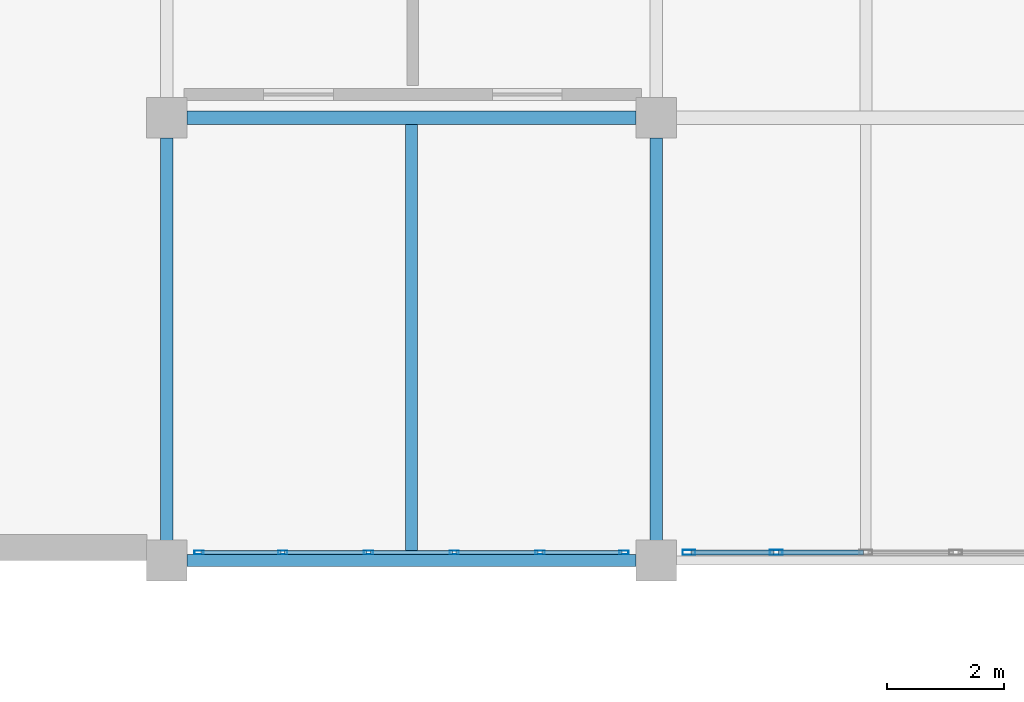
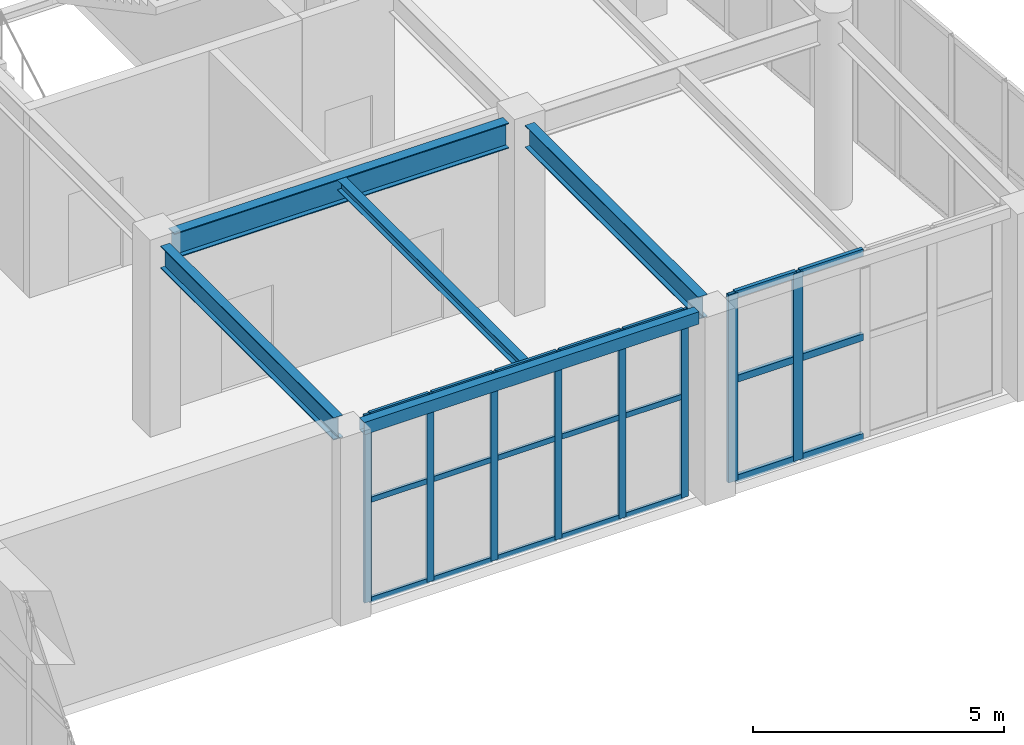
# One storey, part 24 of 72: 29 members, 5 beams, 2 elements without a shape of their own.
"""IFC4 building model written with IfcOpenShell, lengths in metres."""

import ifcopenshell
import ifcopenshell.guid

model = None  # the IFC model being written
_history = None  # IfcOwnerHistory: only IFC2X3 demands one
_inside = {}  # id of a spatial element -> (the spatial element, [elements in it])
_under = {}  # id of a project, library or spatial element -> (it, [spatial elements below it])
_declared = {}  # id of a project -> (the project, [libraries it declares])
_typed = {}  # id of a type object -> (the type object, [elements of that type])
_made_of = {}  # id of a material, layer set ... -> (it, [elements and type objects made of it])


def new_model(schema):
    """Start an empty IFC model of exactly this schema.

    Asked for "IFC4X3", IfcOpenShell would pick the latest addendum, in which some entities
    have other attributes; the version numbers below select the first issue.
    IFC2X3 requires an IfcOwnerHistory on every rooted entity: one is made here for all.
    """
    global model, _history
    if schema == "IFC4X3":
        model = ifcopenshell.file(schema_version=(4, 3, 0, 0))
    else:
        model = ifcopenshell.file(schema=schema)
    _inside.clear()
    _under.clear()
    _declared.clear()
    _typed.clear()
    _made_of.clear()
    _history = None
    if model.schema == "IFC2X3":
        org = make("IfcOrganization", Name="unknown")
        user = make(
            "IfcPersonAndOrganization",
            ThePerson=make("IfcPerson", FamilyName="unknown"),
            TheOrganization=org,
        )
        app = make(
            "IfcApplication",
            ApplicationDeveloper=org,
            Version="unknown",
            ApplicationFullName="unknown",
            ApplicationIdentifier="unknown",
        )
        _history = make(
            "IfcOwnerHistory",
            OwningUser=user,
            OwningApplication=app,
            ChangeAction="ADDED",
            CreationDate=0,
        )
    return model


def make(cls, **values):
    """One entity of the class cls with the attributes given. An attribute that is None is left unset."""
    return model.create_entity(
        cls, **{name: value for name, value in values.items() if value is not None}
    )


def rooted(cls, **values):
    """An entity with a GlobalId (a new one), such as an element, a storey or a relation."""
    return make(cls, GlobalId=ifcopenshell.guid.new(), OwnerHistory=_history, **values)


def si_unit(unit_type, name, prefix=None):
    """IfcSIUnit, for example si_unit("LENGTHUNIT", "METRE", prefix="MILLI")."""
    return make("IfcSIUnit", UnitType=unit_type, Prefix=prefix, Name=name)


def assignment(units):
    """IfcUnitAssignment: the units of a project."""
    return None if units is None else make("IfcUnitAssignment", Units=units)


def point(xyz):
    """IfcCartesianPoint."""
    return None if xyz is None else make("IfcCartesianPoint", Coordinates=xyz)


def direction(xyz):
    """IfcDirection."""
    return None if xyz is None else make("IfcDirection", DirectionRatios=xyz)


def frame(location, z_axis=None, x_axis=None):
    """IfcAxis2Placement3D, a coordinate frame: its origin and axes. An axis left out is left unset."""
    return make(
        "IfcAxis2Placement3D",
        Location=point(location),
        Axis=direction(z_axis),
        RefDirection=direction(x_axis),
    )


def frame_2d(location, x_axis=None):
    """IfcAxis2Placement2D, a coordinate frame in the plane: its origin and x axis."""
    return make(
        "IfcAxis2Placement2D", Location=point(location), RefDirection=direction(x_axis)
    )


def origin():
    """The frame at (0, 0, 0) with its axes left unset."""
    return frame((0.0, 0.0, 0.0))


def origin_2d():
    """The frame at (0, 0) in the plane with its x axis left unset."""
    return frame_2d((0.0, 0.0))


def place(relative_to, where):
    """IfcLocalPlacement: puts the frame where relative to a parent placement (None: the world)."""
    return make(
        "IfcLocalPlacement", PlacementRelTo=relative_to, RelativePlacement=where
    )


def context(
    kind, dimensions, precision=None, world=None, true_north=None, identifier=None
):
    """IfcGeometricRepresentationContext, for example the 3D "Model" context."""
    return make(
        "IfcGeometricRepresentationContext",
        ContextIdentifier=identifier,
        ContextType=kind,
        CoordinateSpaceDimension=dimensions,
        Precision=precision,
        WorldCoordinateSystem=world,
        TrueNorth=true_north,
    )


def subcontext(parent, identifier, kind, view, scale=None):
    """IfcGeometricRepresentationSubContext, for example "Body" below "Model"."""
    return make(
        "IfcGeometricRepresentationSubContext",
        ContextIdentifier=identifier,
        ContextType=kind,
        ParentContext=parent,
        TargetScale=scale,
        TargetView=view,
    )


def project(units=None, contexts=None):
    """IfcProject with its units and contexts."""
    return rooted(
        "IfcProject",
        Name="project",
        RepresentationContexts=contexts,
        UnitsInContext=assignment(units),
    )


def spatial(cls, under=None, at=None, **own):
    """A site, building, storey or space (cls), placed at a placement, below another one or the project."""
    s = rooted(cls, ObjectPlacement=at, **own)
    if under is not None:
        _under.setdefault(under.id(), (under, []))[1].append(s)
    return s


def profile(cls, at=None, kind="AREA", **sizes):
    """A parametric profile (cls). Its sizes go by their IFC names, for example OverallWidth=200.0."""
    return make(cls, ProfileType=kind, Position=at, **sizes)


def hollow_rectangle(**sizes):
    """IfcRectangleHollowProfileDef."""
    return profile("IfcRectangleHollowProfileDef", **sizes)


def i_section(**sizes):
    """IfcIShapeProfileDef."""
    return profile("IfcIShapeProfileDef", **sizes)


def extrude(swept, where, along, depth):
    """IfcExtrudedAreaSolid: the profile swept, set in the frame where, extruded along a direction by depth."""
    return make(
        "IfcExtrudedAreaSolid",
        SweptArea=swept,
        Position=where,
        ExtrudedDirection=direction(along),
        Depth=depth,
    )


def shape(context_of_items, identifier, shape_type, items):
    """IfcShapeRepresentation: the items that make up one representation, for example the "Body"."""
    return make(
        "IfcShapeRepresentation",
        ContextOfItems=context_of_items,
        RepresentationIdentifier=identifier,
        RepresentationType=shape_type,
        Items=items,
    )


def material(Name=None, Category=None):
    """IfcMaterial."""
    return make("IfcMaterial", Name=Name, Category=Category)


def layer(
    of_material, thickness, ventilated=None, Name=None, Category=None, Priority=None
):
    """IfcMaterialLayer: one layer of a wall or slab, of a material (None: an air gap)."""
    return make(
        "IfcMaterialLayer",
        Material=of_material,
        LayerThickness=thickness,
        IsVentilated=ventilated,
        Name=Name,
        Category=Category,
        Priority=Priority,
    )


def layer_set(layers, Name=None):
    """IfcMaterialLayerSet."""
    return make("IfcMaterialLayerSet", MaterialLayers=layers, LayerSetName=Name)


def material_profile(
    of_material, cross_section, Name=None, Category=None, Priority=None
):
    """IfcMaterialProfile: a cross section and its material."""
    return make(
        "IfcMaterialProfile",
        Name=Name,
        Material=of_material,
        Profile=cross_section,
        Priority=Priority,
        Category=Category,
    )


def profile_set(profiles, Name=None, composite=None):
    """IfcMaterialProfileSet."""
    return make(
        "IfcMaterialProfileSet",
        Name=Name,
        MaterialProfiles=profiles,
        CompositeProfile=composite,
    )


def made_of(thing, what):
    """Note that an element or type object is made of a material, layer set ...; save() writes the relation."""
    if what is not None:
        _made_of.setdefault(what.id(), (what, []))[1].append(thing)
    return thing


def type_object(cls, material=None, **own):
    """A type object (cls), such as IfcWallType, which elements share."""
    return made_of(rooted(cls, **own), material)


def element(
    cls,
    number,
    at=None,
    inside=None,
    cuts=None,
    type_object=None,
    material=None,
    context=None,
    identifier="Body",
    shape_type=None,
    held_by="IfcProductDefinitionShape",
    body=None,
    shapes=None,
    **own,
):
    """One element of the class cls, such as IfcWall. Its Tag is "e" and its number.

    at: its placement. inside: the storey or other place that contains it. cuts: it is an
    opening in that element (IfcRelVoidsElement). A single representation is given by context,
    identifier, shape_type and body (its items); several are given by shapes. held_by: the class
    of the entity that holds the representations. save() writes the other relations.
    """
    e = rooted(cls, Tag="e%d" % number, ObjectPlacement=at, **own)
    if body is not None:
        shapes = [shape(context, identifier, shape_type, body)]
    if shapes is not None:
        e.Representation = make(held_by, Representations=shapes)
    if inside is not None:
        _inside.setdefault(inside.id(), (inside, []))[1].append(e)
    if cuts is not None:
        rooted(
            "IfcRelVoidsElement", RelatingBuildingElement=cuts, RelatedOpeningElement=e
        )
    if type_object is not None:
        _typed.setdefault(type_object.id(), (type_object, []))[1].append(e)
    return made_of(e, material)


def aggregate(whole, parts):
    """IfcRelAggregates: a whole, such as a stair, and the parts it consists of."""
    return rooted("IfcRelAggregates", RelatingObject=whole, RelatedObjects=parts)


def save(model, path):
    """Write the relations noted so far, then the file.

    IfcRelAggregates (storeys below a building ...), IfcRelContainedInSpatialStructure (elements
    in a storey), IfcRelDefinesByType, IfcRelAssociatesMaterial and IfcRelDeclares: one each for
    every whole, place, type object, material and project.
    """
    for whole, parts in _under.values():
        aggregate(whole, parts)
    for where, things in _inside.values():
        rooted(
            "IfcRelContainedInSpatialStructure",
            RelatedElements=things,
            RelatingStructure=where,
        )
    for kind, things in _typed.values():
        rooted("IfcRelDefinesByType", RelatedObjects=things, RelatingType=kind)
    for what, things in _made_of.values():
        rooted("IfcRelAssociatesMaterial", RelatedObjects=things, RelatingMaterial=what)
    for by, libraries in _declared.values():
        rooted("IfcRelDeclares", RelatingContext=by, RelatedDefinitions=libraries)
    model.write(path)


model = new_model("IFC4")

# Units and contexts
model_context = context("Model", 3, precision=1e-05, world=origin(), true_north=direction((0.0, 1.0)))
body_context = subcontext(model_context, "Body", "Model", "MODEL_VIEW")
ifc_project = project(units=[si_unit("LENGTHUNIT", "METRE"), si_unit("AREAUNIT", "SQUARE_METRE"), si_unit("VOLUMEUNIT", "CUBIC_METRE"), si_unit("PLANEANGLEUNIT", "RADIAN"), si_unit("MASSUNIT", "GRAM", prefix="KILO")], contexts=[model_context])

# Site, building, storey
site_placement = place(None, origin())
site = spatial("IfcSite", under=ifc_project, at=site_placement, CompositionType="ELEMENT")
building_placement = place(site_placement, origin())
building = spatial("IfcBuilding", under=site, at=building_placement, Name="Xicomal Pleat Aquarium", CompositionType="ELEMENT")
storey_placement = place(building_placement, frame((0.0, 0.0, 10.5)))
storey = spatial("IfcBuildingStorey", under=building, at=storey_placement, Name="L03", CompositionType="ELEMENT", Elevation=10.5)

# Beams
ifc_material_1 = material(Name="Structural steel A992 Gr 50", Category="steel")
ifc_material_profile_1 = material_profile(ifc_material_1, i_section(OverallWidth=0.201904296875, OverallDepth=0.2470703125, WebThickness=0.00732421875, FlangeThickness=0.010986328125, at=origin_2d()), Name="IR 250x49")
ifc_profile_set_1 = profile_set([ifc_material_profile_1], Name="Structural steel A992 Gr 50")
beam_type_1 = type_object("IfcBeamType", Name="BM-STL-IR250", PredefinedType="JOIST", material=ifc_profile_set_1)
beam_1_placement = place(storey_placement, frame((106.800048828125, 38.10302734375, 4.451416015625), z_axis=(0.0, 1.0, 0.0), x_axis=(-1.0, 0.0, 0.0)))
element("IfcBeam", 1, at=beam_1_placement, inside=storey, type_object=beam_type_1, Name="L03 framing beam FBJ-L03-13-F-1", PredefinedType="JOIST", context=body_context, shape_type="SweptSolid", body=[
    extrude(i_section(OverallWidth=0.201904296875, OverallDepth=0.2470703125, WebThickness=0.00732421875, FlangeThickness=0.010986328125, at=origin_2d()), origin(), (0.0, 0.0, 1.0), 7.37890625),
])
ifc_material_2 = material(Name="Structural steel A992 Gr 50", Category="steel")
ifc_material_profile_2 = material_profile(ifc_material_2, i_section(OverallWidth=0.2119140625, OverallDepth=0.5439453125, WebThickness=0.01318359375, FlangeThickness=0.021240234375, at=origin_2d()), Name="IR 530x123")
ifc_profile_set_2 = profile_set([ifc_material_profile_2], Name="Structural steel A992 Gr 50")
beam_type_2 = type_object("IfcBeamType", Name="BM-STL-IR530", PredefinedType="BEAM", material=ifc_profile_set_2)
for number, where, z_axis, x_axis, name in (
    (2, (102.60009765625, 38.344970703125, 4.302978515625), (0.0, 1.0, 0.0), (-1.0, 0.0, 0.0), "L03 framing beam FGY-L03-13-F-G"),
    (3, (111.0, 38.344970703125, 4.302978515625), (0.0, 1.0, 0.0), (-1.0, 0.0, 0.0), "L03 framing beam FGY-L03-14-F-G"),
):
    element("IfcBeam", number, at=place(storey_placement, frame(where, z_axis=z_axis, x_axis=x_axis)), inside=storey, type_object=beam_type_2, Name=name, PredefinedType="BEAM", context=body_context, shape_type="SweptSolid", body=[
        extrude(i_section(OverallWidth=0.2119140625, OverallDepth=0.5439453125, WebThickness=0.01318359375, FlangeThickness=0.021240234375, at=origin_2d()), origin(), (0.0, 0.0, 1.0), 6.909912109375),
    ])
ifc_material_3 = material(Name="Structural steel A992 Gr 50", Category="steel")
ifc_material_profile_3 = material_profile(ifc_material_3, i_section(OverallWidth=0.22998046875, OverallDepth=0.616943359375, WebThickness=0.01318359375, FlangeThickness=0.022216796875, at=origin_2d()), Name="IR 610x140")
ifc_profile_set_3 = profile_set([ifc_material_profile_3], Name="Structural steel A992 Gr 50")
beam_type_3 = type_object("IfcBeamType", Name="BM-STL-IR610", PredefinedType="BEAM", material=ifc_profile_set_3)
beam_2_placement = place(storey_placement, frame((102.945068359375, 45.60009765625, 4.2666015625), z_axis=(1.0, 0.0, 0.0), x_axis=(0.0, 1.0, 0.0)))
element("IfcBeam", 4, at=beam_2_placement, inside=storey, type_object=beam_type_3, Name="L03 framing beam FGX-L03-13-14-G", PredefinedType="BEAM", context=body_context, shape_type="SweptSolid", body=[
    extrude(i_section(OverallWidth=0.22998046875, OverallDepth=0.616943359375, WebThickness=0.01318359375, FlangeThickness=0.022216796875, at=origin_2d()), origin(), (0.0, 0.0, 1.0), 7.7099609375),
])
ifc_material_4 = material(Name="Structural steel A500 Gr C", Category="steel")
ifc_material_profile_4 = material_profile(ifc_material_4, hollow_rectangle(XDim=0.199951171875, YDim=0.300048828125, WallThickness=0.011962890625, at=origin_2d()), Name="OR 300x200x12")
ifc_profile_set_4 = profile_set([ifc_material_profile_4], Name="Structural steel A500 Gr C")
beam_type_4 = type_object("IfcBeamType", Name="BM-STL-OR300", PredefinedType="SPANDREL", material=ifc_profile_set_4)
beam_3_placement = place(storey_placement, frame((102.945068359375, 38.0, 4.425048828125), z_axis=(1.0, 0.0, 0.0), x_axis=(0.0, 1.0, 0.0)))
element("IfcBeam", 5, at=beam_3_placement, inside=storey, type_object=beam_type_4, Name="L03 framing beam FGX-L03-13-14-F", PredefinedType="SPANDREL", context=body_context, shape_type="SweptSolid", body=[
    extrude(hollow_rectangle(XDim=0.199951171875, YDim=0.300048828125, WallThickness=0.011962890625, at=origin_2d()), origin(), (0.0, 0.0, 1.0), 7.7099609375),
])

# Curtain wall, members
ifc_material_5 = material(Name="Bronze anodized aluminium 6063-T6", Category="aluminium")
ifc_layer = layer(ifc_material_5, 0.159912109375)
ifc_layer_set = layer_set([ifc_layer], Name="Bronze anodized aluminium 6063-T6")
curtain_wall_type = type_object("IfcCurtainWallType", Name="CW-SYS-03", PredefinedType="NOTDEFINED", material=ifc_layer_set)
curtain_wall_1_placement = place(storey_placement, origin())
curtain_wall_1 = element("IfcCurtainWall", 6, at=curtain_wall_1_placement, inside=storey, type_object=curtain_wall_type, Name="L03 unitised curtain wall CW-L03-162", PredefinedType="NOTDEFINED")
ifc_material_6 = material(Name="Bronze anodized aluminium 6063-T6", Category="aluminium")
ifc_material_profile_5 = material_profile(ifc_material_6, hollow_rectangle(XDim=0.06494140625, YDim=0.159912109375, WallThickness=0.00390625, at=origin_2d()), Name="ALU MULL 65x160")
ifc_profile_set_5 = profile_set([ifc_material_profile_5], Name="Bronze anodized aluminium 6063-T6")
member_type_1 = type_object("IfcMemberType", Name="CWM-65x160", PredefinedType="MULLION", material=ifc_profile_set_5)
member_1_placement = place(storey_placement, frame((110.447509765625, 38.139892578125, 0.0), z_axis=(0.0, 0.0, 1.0), x_axis=(0.0, -1.0, 0.0)))
member_1 = element("IfcMember", 7, at=member_1_placement, type_object=member_type_1, Name="CW-03 mullion 1", PredefinedType="MULLION", context=body_context, shape_type="SweptSolid", body=[
    extrude(hollow_rectangle(XDim=0.06494140625, YDim=0.159912109375, WallThickness=0.00390625, at=origin_2d()), origin(), (0.0, 0.0, 1.0), 4.574951171875),
])
member_2_placement = place(storey_placement, frame((109.008056640625, 38.139892578125, 0.0), z_axis=(0.0, 0.0, 1.0), x_axis=(0.0, -1.0, 0.0)))
member_2 = element("IfcMember", 8, at=member_2_placement, type_object=member_type_1, Name="CW-03 mullion 2", PredefinedType="MULLION", context=body_context, shape_type="SweptSolid", body=[
    extrude(hollow_rectangle(XDim=0.06494140625, YDim=0.159912109375, WallThickness=0.00390625, at=origin_2d()), origin(), (0.0, 0.0, 1.0), 4.574951171875),
])
member_3_placement = place(storey_placement, frame((107.535888671875, 38.139892578125, 0.0), z_axis=(0.0, 0.0, 1.0), x_axis=(0.0, -1.0, 0.0)))
member_3 = element("IfcMember", 9, at=member_3_placement, type_object=member_type_1, Name="CW-03 mullion 3", PredefinedType="MULLION", context=body_context, shape_type="SweptSolid", body=[
    extrude(hollow_rectangle(XDim=0.06494140625, YDim=0.159912109375, WallThickness=0.00390625, at=origin_2d()), origin(), (0.0, 0.0, 1.0), 4.574951171875),
])
member_4_placement = place(storey_placement, frame((106.06396484375, 38.139892578125, 0.0), z_axis=(0.0, 0.0, 1.0), x_axis=(0.0, -1.0, 0.0)))
member_4 = element("IfcMember", 10, at=member_4_placement, type_object=member_type_1, Name="CW-03 mullion 4", PredefinedType="MULLION", context=body_context, shape_type="SweptSolid", body=[
    extrude(hollow_rectangle(XDim=0.06494140625, YDim=0.159912109375, WallThickness=0.00390625, at=origin_2d()), origin(), (0.0, 0.0, 1.0), 4.574951171875),
])
member_5_placement = place(storey_placement, frame((104.592041015625, 38.139892578125, 0.0), z_axis=(0.0, 0.0, 1.0), x_axis=(0.0, -1.0, 0.0)))
member_5 = element("IfcMember", 11, at=member_5_placement, type_object=member_type_1, Name="CW-03 mullion 5", PredefinedType="MULLION", context=body_context, shape_type="SweptSolid", body=[
    extrude(hollow_rectangle(XDim=0.06494140625, YDim=0.159912109375, WallThickness=0.00390625, at=origin_2d()), origin(), (0.0, 0.0, 1.0), 4.574951171875),
])
member_6_placement = place(storey_placement, frame((103.152587890625, 38.139892578125, 0.0), z_axis=(0.0, 0.0, 1.0), x_axis=(0.0, -1.0, 0.0)))
member_6 = element("IfcMember", 12, at=member_6_placement, type_object=member_type_1, Name="CW-03 mullion 6", PredefinedType="MULLION", context=body_context, shape_type="SweptSolid", body=[
    extrude(hollow_rectangle(XDim=0.06494140625, YDim=0.159912109375, WallThickness=0.00390625, at=origin_2d()), origin(), (0.0, 0.0, 1.0), 4.574951171875),
])

curtain_wall_2_placement = place(storey_placement, origin())
curtain_wall_2 = element("IfcCurtainWall", 13, at=curtain_wall_2_placement, inside=storey, type_object=curtain_wall_type, Name="L03 unitised curtain wall CW-L03-161", PredefinedType="NOTDEFINED")
ifc_material_7 = material(Name="Bronze anodized aluminium 6063-T6", Category="aluminium")
ifc_material_profile_6 = material_profile(ifc_material_7, hollow_rectangle(XDim=0.0849609375, YDim=0.219970703125, WallThickness=0.0048828125, at=origin_2d()), Name="ALU MULL 85x220")
ifc_profile_set_6 = profile_set([ifc_material_profile_6], Name="Bronze anodized aluminium 6063-T6")
member_type_2 = type_object("IfcMemberType", Name="CWM-85x220", PredefinedType="MULLION", material=ifc_profile_set_6)
member_7_placement = place(storey_placement, frame((113.06005859375, 38.139892578125, 0.0), z_axis=(0.0, 0.0, 1.0), x_axis=(0.0, -1.0, 0.0)))
member_7 = element("IfcMember", 14, at=member_7_placement, type_object=member_type_2, Name="CW-03 mullion 4", PredefinedType="MULLION", context=body_context, shape_type="SweptSolid", body=[
    extrude(hollow_rectangle(XDim=0.0849609375, YDim=0.219970703125, WallThickness=0.0048828125, at=origin_2d()), origin(), (0.0, 0.0, 1.0), 4.574951171875),
])
member_8_placement = place(storey_placement, frame((111.5625, 38.139892578125, 0.0), z_axis=(0.0, 0.0, 1.0), x_axis=(0.0, -1.0, 0.0)))
member_8 = element("IfcMember", 15, at=member_8_placement, type_object=member_type_2, Name="CW-03 mullion 5", PredefinedType="MULLION", context=body_context, shape_type="SweptSolid", body=[
    extrude(hollow_rectangle(XDim=0.0849609375, YDim=0.219970703125, WallThickness=0.0048828125, at=origin_2d()), origin(), (0.0, 0.0, 1.0), 4.574951171875),
])

# Member
ifc_material_8 = material(Name="Bronze anodized aluminium 6063-T6", Category="aluminium")
ifc_material_profile_7 = material_profile(ifc_material_8, hollow_rectangle(XDim=0.06494140625, YDim=0.1298828125, WallThickness=0.00390625, at=origin_2d()), Name="ALU TRAN 65x130")
ifc_profile_set_7 = profile_set([ifc_material_profile_7], Name="Bronze anodized aluminium 6063-T6")
member_type_3 = type_object("IfcMemberType", Name="CWT-65x130", PredefinedType="USERDEFINED", material=ifc_profile_set_7)
member_9_placement = place(storey_placement, frame((110.4150390625, 38.139892578125, 0.032470703125), z_axis=(-1.0, 0.0, 0.0), x_axis=(0.0, -1.0, 0.0)))
member_9 = element("IfcMember", 16, at=member_9_placement, type_object=member_type_3, Name="CW-03 transom 1.1", ObjectType="TRANSOM", PredefinedType="USERDEFINED", context=body_context, shape_type="SweptSolid", body=[
    extrude(hollow_rectangle(XDim=0.06494140625, YDim=0.1298828125, WallThickness=0.00390625, at=origin_2d()), origin(), (0.0, 0.0, 1.0), 1.37451171875),
])

member_10_placement = place(storey_placement, frame((110.4150390625, 38.139892578125, 2.469970703125), z_axis=(-1.0, 0.0, 0.0), x_axis=(0.0, -1.0, 0.0)))
member_10 = element("IfcMember", 17, at=member_10_placement, type_object=member_type_3, Name="CW-03 transom 1.2", ObjectType="TRANSOM", PredefinedType="USERDEFINED", context=body_context, shape_type="SweptSolid", body=[
    extrude(hollow_rectangle(XDim=0.06494140625, YDim=0.1298828125, WallThickness=0.00390625, at=origin_2d()), origin(), (0.0, 0.0, 1.0), 1.37451171875),
])

member_11_placement = place(storey_placement, frame((110.4150390625, 38.139892578125, 4.54248046875), z_axis=(-1.0, 0.0, 0.0), x_axis=(0.0, -1.0, 0.0)))
member_11 = element("IfcMember", 18, at=member_11_placement, type_object=member_type_3, Name="CW-03 transom 1.3", ObjectType="TRANSOM", PredefinedType="USERDEFINED", context=body_context, shape_type="SweptSolid", body=[
    extrude(hollow_rectangle(XDim=0.06494140625, YDim=0.1298828125, WallThickness=0.00390625, at=origin_2d()), origin(), (0.0, 0.0, 1.0), 1.37451171875),
])

member_12_placement = place(storey_placement, frame((108.9755859375, 38.139892578125, 0.032470703125), z_axis=(-1.0, 0.0, 0.0), x_axis=(0.0, -1.0, 0.0)))
member_12 = element("IfcMember", 19, at=member_12_placement, type_object=member_type_3, Name="CW-03 transom 2.1", ObjectType="TRANSOM", PredefinedType="USERDEFINED", context=body_context, shape_type="SweptSolid", body=[
    extrude(hollow_rectangle(XDim=0.06494140625, YDim=0.1298828125, WallThickness=0.00390625, at=origin_2d()), origin(), (0.0, 0.0, 1.0), 1.406982421875),
])

member_13_placement = place(storey_placement, frame((108.9755859375, 38.139892578125, 2.469970703125), z_axis=(-1.0, 0.0, 0.0), x_axis=(0.0, -1.0, 0.0)))
member_13 = element("IfcMember", 20, at=member_13_placement, type_object=member_type_3, Name="CW-03 transom 2.2", ObjectType="TRANSOM", PredefinedType="USERDEFINED", context=body_context, shape_type="SweptSolid", body=[
    extrude(hollow_rectangle(XDim=0.06494140625, YDim=0.1298828125, WallThickness=0.00390625, at=origin_2d()), origin(), (0.0, 0.0, 1.0), 1.406982421875),
])

member_14_placement = place(storey_placement, frame((108.9755859375, 38.139892578125, 4.54248046875), z_axis=(-1.0, 0.0, 0.0), x_axis=(0.0, -1.0, 0.0)))
member_14 = element("IfcMember", 21, at=member_14_placement, type_object=member_type_3, Name="CW-03 transom 2.3", ObjectType="TRANSOM", PredefinedType="USERDEFINED", context=body_context, shape_type="SweptSolid", body=[
    extrude(hollow_rectangle(XDim=0.06494140625, YDim=0.1298828125, WallThickness=0.00390625, at=origin_2d()), origin(), (0.0, 0.0, 1.0), 1.406982421875),
])

member_15_placement = place(storey_placement, frame((107.50341796875, 38.139892578125, 0.032470703125), z_axis=(-1.0, 0.0, 0.0), x_axis=(0.0, -1.0, 0.0)))
member_15 = element("IfcMember", 22, at=member_15_placement, type_object=member_type_3, Name="CW-03 transom 3.1", ObjectType="TRANSOM", PredefinedType="USERDEFINED", context=body_context, shape_type="SweptSolid", body=[
    extrude(hollow_rectangle(XDim=0.06494140625, YDim=0.1298828125, WallThickness=0.00390625, at=origin_2d()), origin(), (0.0, 0.0, 1.0), 1.406982421875),
])

member_16_placement = place(storey_placement, frame((107.50341796875, 38.139892578125, 2.469970703125), z_axis=(-1.0, 0.0, 0.0), x_axis=(0.0, -1.0, 0.0)))
member_16 = element("IfcMember", 23, at=member_16_placement, type_object=member_type_3, Name="CW-03 transom 3.2", ObjectType="TRANSOM", PredefinedType="USERDEFINED", context=body_context, shape_type="SweptSolid", body=[
    extrude(hollow_rectangle(XDim=0.06494140625, YDim=0.1298828125, WallThickness=0.00390625, at=origin_2d()), origin(), (0.0, 0.0, 1.0), 1.406982421875),
])

member_17_placement = place(storey_placement, frame((107.50341796875, 38.139892578125, 4.54248046875), z_axis=(-1.0, 0.0, 0.0), x_axis=(0.0, -1.0, 0.0)))
member_17 = element("IfcMember", 24, at=member_17_placement, type_object=member_type_3, Name="CW-03 transom 3.3", ObjectType="TRANSOM", PredefinedType="USERDEFINED", context=body_context, shape_type="SweptSolid", body=[
    extrude(hollow_rectangle(XDim=0.06494140625, YDim=0.1298828125, WallThickness=0.00390625, at=origin_2d()), origin(), (0.0, 0.0, 1.0), 1.406982421875),
])

member_18_placement = place(storey_placement, frame((106.031494140625, 38.139892578125, 0.032470703125), z_axis=(-1.0, 0.0, 0.0), x_axis=(0.0, -1.0, 0.0)))
member_18 = element("IfcMember", 25, at=member_18_placement, type_object=member_type_3, Name="CW-03 transom 4.1", ObjectType="TRANSOM", PredefinedType="USERDEFINED", context=body_context, shape_type="SweptSolid", body=[
    extrude(hollow_rectangle(XDim=0.06494140625, YDim=0.1298828125, WallThickness=0.00390625, at=origin_2d()), origin(), (0.0, 0.0, 1.0), 1.406982421875),
])

member_19_placement = place(storey_placement, frame((106.031494140625, 38.139892578125, 2.469970703125), z_axis=(-1.0, 0.0, 0.0), x_axis=(0.0, -1.0, 0.0)))
member_19 = element("IfcMember", 26, at=member_19_placement, type_object=member_type_3, Name="CW-03 transom 4.2", ObjectType="TRANSOM", PredefinedType="USERDEFINED", context=body_context, shape_type="SweptSolid", body=[
    extrude(hollow_rectangle(XDim=0.06494140625, YDim=0.1298828125, WallThickness=0.00390625, at=origin_2d()), origin(), (0.0, 0.0, 1.0), 1.406982421875),
])

member_20_placement = place(storey_placement, frame((106.031494140625, 38.139892578125, 4.54248046875), z_axis=(-1.0, 0.0, 0.0), x_axis=(0.0, -1.0, 0.0)))
member_20 = element("IfcMember", 27, at=member_20_placement, type_object=member_type_3, Name="CW-03 transom 4.3", ObjectType="TRANSOM", PredefinedType="USERDEFINED", context=body_context, shape_type="SweptSolid", body=[
    extrude(hollow_rectangle(XDim=0.06494140625, YDim=0.1298828125, WallThickness=0.00390625, at=origin_2d()), origin(), (0.0, 0.0, 1.0), 1.406982421875),
])

member_21_placement = place(storey_placement, frame((104.5595703125, 38.139892578125, 0.032470703125), z_axis=(-1.0, 0.0, 0.0), x_axis=(0.0, -1.0, 0.0)))
member_21 = element("IfcMember", 28, at=member_21_placement, type_object=member_type_3, Name="CW-03 transom 5.1", ObjectType="TRANSOM", PredefinedType="USERDEFINED", context=body_context, shape_type="SweptSolid", body=[
    extrude(hollow_rectangle(XDim=0.06494140625, YDim=0.1298828125, WallThickness=0.00390625, at=origin_2d()), origin(), (0.0, 0.0, 1.0), 1.37451171875),
])

member_22_placement = place(storey_placement, frame((104.5595703125, 38.139892578125, 2.469970703125), z_axis=(-1.0, 0.0, 0.0), x_axis=(0.0, -1.0, 0.0)))
member_22 = element("IfcMember", 29, at=member_22_placement, type_object=member_type_3, Name="CW-03 transom 5.2", ObjectType="TRANSOM", PredefinedType="USERDEFINED", context=body_context, shape_type="SweptSolid", body=[
    extrude(hollow_rectangle(XDim=0.06494140625, YDim=0.1298828125, WallThickness=0.00390625, at=origin_2d()), origin(), (0.0, 0.0, 1.0), 1.37451171875),
])

member_23_placement = place(storey_placement, frame((104.5595703125, 38.139892578125, 4.54248046875), z_axis=(-1.0, 0.0, 0.0), x_axis=(0.0, -1.0, 0.0)))
member_23 = element("IfcMember", 30, at=member_23_placement, type_object=member_type_3, Name="CW-03 transom 5.3", ObjectType="TRANSOM", PredefinedType="USERDEFINED", context=body_context, shape_type="SweptSolid", body=[
    extrude(hollow_rectangle(XDim=0.06494140625, YDim=0.1298828125, WallThickness=0.00390625, at=origin_2d()), origin(), (0.0, 0.0, 1.0), 1.37451171875),
])

aggregate(curtain_wall_1, [member_1, member_2, member_3, member_4, member_5, member_6, member_9, member_10, member_11, member_12, member_13, member_14, member_15, member_16, member_17, member_18, member_19, member_20, member_21, member_22, member_23])

ifc_material_9 = material(Name="Bronze anodized aluminium 6063-T6", Category="aluminium")
ifc_material_profile_8 = material_profile(ifc_material_9, hollow_rectangle(XDim=0.0849609375, YDim=0.169921875, WallThickness=0.0048828125, at=origin_2d()), Name="ALU TRAN 85x170")
ifc_profile_set_8 = profile_set([ifc_material_profile_8], Name="Bronze anodized aluminium 6063-T6")
member_type_4 = type_object("IfcMemberType", Name="CWT-85x170", PredefinedType="USERDEFINED", material=ifc_profile_set_8)
member_24_placement = place(storey_placement, frame((114.5576171875, 38.139892578125, 0.04248046875), z_axis=(-1.0, 0.0, 0.0), x_axis=(0.0, -1.0, 0.0)))
member_24 = element("IfcMember", 31, at=member_24_placement, type_object=member_type_4, Name="CW-03 transom 3.1", ObjectType="TRANSOM", PredefinedType="USERDEFINED", context=body_context, shape_type="SweptSolid", body=[
    extrude(hollow_rectangle(XDim=0.0849609375, YDim=0.169921875, WallThickness=0.0048828125, at=origin_2d()), origin(), (0.0, 0.0, 1.0), 1.455078125),
])

member_25_placement = place(storey_placement, frame((114.5576171875, 38.139892578125, 2.469970703125), z_axis=(-1.0, 0.0, 0.0), x_axis=(0.0, -1.0, 0.0)))
member_25 = element("IfcMember", 32, at=member_25_placement, type_object=member_type_4, Name="CW-03 transom 3.2", ObjectType="TRANSOM", PredefinedType="USERDEFINED", context=body_context, shape_type="SweptSolid", body=[
    extrude(hollow_rectangle(XDim=0.0849609375, YDim=0.169921875, WallThickness=0.0048828125, at=origin_2d()), origin(), (0.0, 0.0, 1.0), 1.455078125),
])

member_26_placement = place(storey_placement, frame((114.5576171875, 38.139892578125, 4.532470703125), z_axis=(-1.0, 0.0, 0.0), x_axis=(0.0, -1.0, 0.0)))
member_26 = element("IfcMember", 33, at=member_26_placement, type_object=member_type_4, Name="CW-03 transom 3.3", ObjectType="TRANSOM", PredefinedType="USERDEFINED", context=body_context, shape_type="SweptSolid", body=[
    extrude(hollow_rectangle(XDim=0.0849609375, YDim=0.169921875, WallThickness=0.0048828125, at=origin_2d()), origin(), (0.0, 0.0, 1.0), 1.455078125),
])

member_27_placement = place(storey_placement, frame((113.017578125, 38.139892578125, 0.04248046875), z_axis=(-1.0, 0.0, 0.0), x_axis=(0.0, -1.0, 0.0)))
member_27 = element("IfcMember", 34, at=member_27_placement, type_object=member_type_4, Name="CW-03 transom 4.1", ObjectType="TRANSOM", PredefinedType="USERDEFINED", context=body_context, shape_type="SweptSolid", body=[
    extrude(hollow_rectangle(XDim=0.0849609375, YDim=0.169921875, WallThickness=0.0048828125, at=origin_2d()), origin(), (0.0, 0.0, 1.0), 1.41259765625),
])

member_28_placement = place(storey_placement, frame((113.017578125, 38.139892578125, 2.469970703125), z_axis=(-1.0, 0.0, 0.0), x_axis=(0.0, -1.0, 0.0)))
member_28 = element("IfcMember", 35, at=member_28_placement, type_object=member_type_4, Name="CW-03 transom 4.2", ObjectType="TRANSOM", PredefinedType="USERDEFINED", context=body_context, shape_type="SweptSolid", body=[
    extrude(hollow_rectangle(XDim=0.0849609375, YDim=0.169921875, WallThickness=0.0048828125, at=origin_2d()), origin(), (0.0, 0.0, 1.0), 1.41259765625),
])

member_29_placement = place(storey_placement, frame((113.017578125, 38.139892578125, 4.532470703125), z_axis=(-1.0, 0.0, 0.0), x_axis=(0.0, -1.0, 0.0)))
member_29 = element("IfcMember", 36, at=member_29_placement, type_object=member_type_4, Name="CW-03 transom 4.3", ObjectType="TRANSOM", PredefinedType="USERDEFINED", context=body_context, shape_type="SweptSolid", body=[
    extrude(hollow_rectangle(XDim=0.0849609375, YDim=0.169921875, WallThickness=0.0048828125, at=origin_2d()), origin(), (0.0, 0.0, 1.0), 1.41259765625),
])

aggregate(curtain_wall_2, [member_7, member_8, member_24, member_25, member_26, member_27, member_28, member_29])

save(model, "model.ifc")
